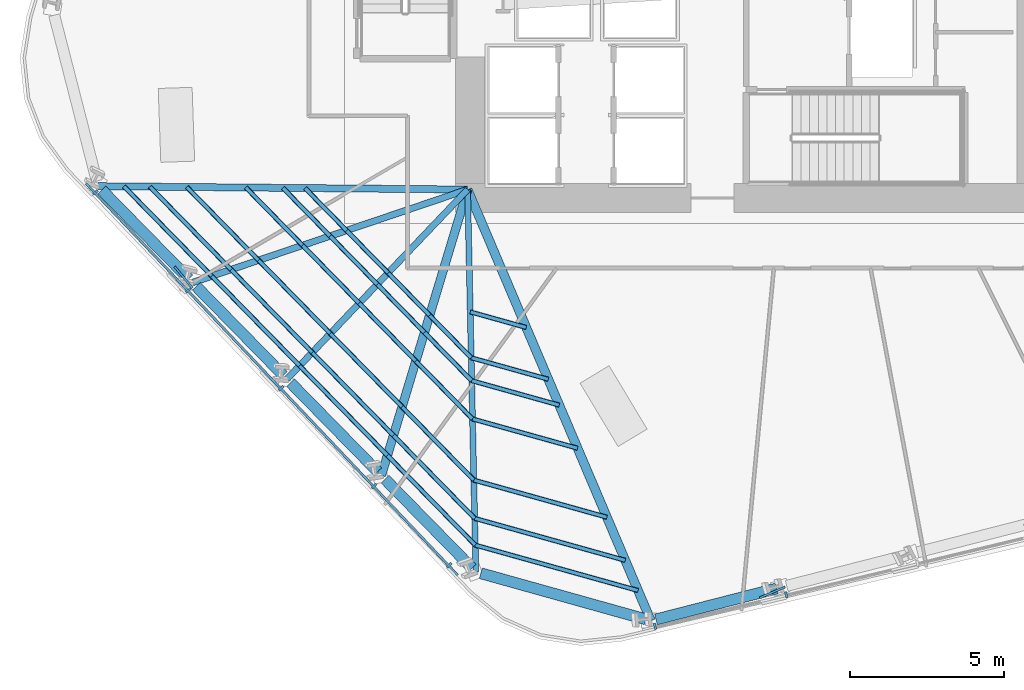
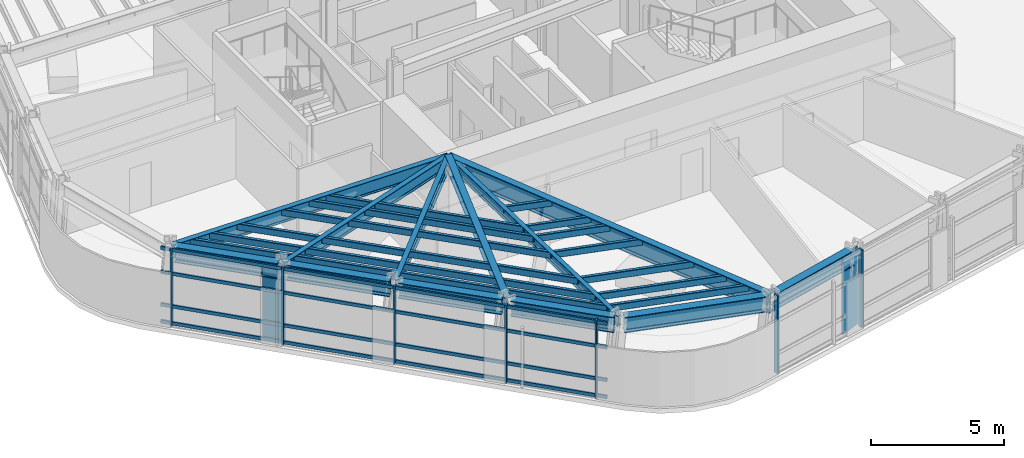
# One storey, part 2 of 17: 44 members, 12 beams, 2 elements without a shape of their own.
"""IFC4 building model written with IfcOpenShell, lengths in metres."""

from ifc_helpers import new_model, si_unit, direction, frame, origin, origin_2d, place, context, subcontext, project, spatial, rectangle, hollow_rectangle, i_section, extrude, material, layer, layer_set, material_profile, profile_set, type_object, element, aggregate, save


model = new_model("IFC4")

# Units and contexts
model_context = context("Model", 3, precision=1e-05, world=origin(), true_north=direction((0.0, 1.0)))
body_context = subcontext(model_context, "Body", "Model", "MODEL_VIEW")
ifc_project = project(units=[si_unit("LENGTHUNIT", "METRE"), si_unit("AREAUNIT", "SQUARE_METRE"), si_unit("VOLUMEUNIT", "CUBIC_METRE"), si_unit("PLANEANGLEUNIT", "RADIAN"), si_unit("MASSUNIT", "GRAM", prefix="KILO")], contexts=[model_context])

# Site, building, storey
site_placement = place(None, origin())
site = spatial("IfcSite", under=ifc_project, at=site_placement, CompositionType="ELEMENT")
building_placement = place(site_placement, origin())
building = spatial("IfcBuilding", under=site, at=building_placement, Name="Valkerne Bourse Tower", CompositionType="ELEMENT")
storey_placement = place(building_placement, frame((0.0, 0.0, 82.0)))
storey = spatial("IfcBuildingStorey", under=building, at=storey_placement, Name="L20", CompositionType="ELEMENT", Elevation=82.0)

# Beams
ifc_material_1 = material(Name="Steel ASTM A992", Category="steel")
ifc_material_profile_1 = material_profile(ifc_material_1, i_section(OverallWidth=0.1904296875, OverallDepth=0.457275390625, WebThickness=0.009033203125, FlangeThickness=0.014404296875, FilletRadius=0.01513671875, at=origin_2d()), Name="W18X50")
ifc_profile_set_1 = profile_set([ifc_material_profile_1], Name="Steel ASTM A992")
beam_type_1 = type_object("IfcBeamType", Name="BM-W18X50", PredefinedType="JOIST", material=ifc_profile_set_1)
beam_1_placement = place(storey_placement, frame((37.86669921875, 5.982666015625, 3.351318359375), z_axis=(-0.021465334848, 0.999769593156, 0.0), x_axis=(-0.999769593156, -0.021465334848, 0.0)))
element("IfcBeam", 1, at=beam_1_placement, inside=storey, type_object=beam_type_1, Name="L20 Radial Composite Floor Beam 19", PredefinedType="JOIST", context=body_context, shape_type="SweptSolid", body=[
    extrude(i_section(OverallWidth=0.1904296875, OverallDepth=0.457275390625, WebThickness=0.009033203125, FlangeThickness=0.014404296875, FilletRadius=0.01513671875, at=origin_2d()), origin(), (0.0, 0.0, 1.0), 12.420166015625),
])
ifc_material_profile_2 = material_profile(ifc_material_1, i_section(OverallWidth=0.279296875, OverallDepth=0.46240234375, WebThickness=0.0107421875, FlangeThickness=0.017333984375, FilletRadius=0.017822265625, at=origin_2d()), Name="W18X76")
ifc_profile_set_2 = profile_set([ifc_material_profile_2], Name="Steel ASTM A992")
beam_type_2 = type_object("IfcBeamType", Name="BM-W18X76", PredefinedType="BEAM", material=ifc_profile_set_2)
beam_2_placement = place(storey_placement, frame((34.800048828125, 9.1142578125, 3.348876953125), z_axis=(0.288705536181, 0.957417940807, 0.0), x_axis=(-0.957417940807, 0.288705536181, 0.0)))
element("IfcBeam", 2, at=beam_2_placement, inside=storey, type_object=beam_type_2, Name="L20 Radial Composite Floor Beam 18", PredefinedType="BEAM", context=body_context, shape_type="SweptSolid", body=[
    extrude(i_section(OverallWidth=0.279296875, OverallDepth=0.46240234375, WebThickness=0.0107421875, FlangeThickness=0.017333984375, FilletRadius=0.017822265625, at=origin_2d()), origin(), (0.0, 0.0, 1.0), 9.69873046875),
])
ifc_material_profile_3 = material_profile(ifc_material_1, i_section(OverallWidth=0.209228515625, OverallDepth=0.533447265625, WebThickness=0.01025390625, FlangeThickness=0.015625, FilletRadius=0.017822265625, at=origin_2d()), Name="W21X62")
ifc_profile_set_3 = profile_set([ifc_material_profile_3], Name="Steel ASTM A992")
beam_type_3 = type_object("IfcBeamType", Name="BM-W21X62", PredefinedType="JOIST", material=ifc_profile_set_3)
beam_3_placement = place(storey_placement, frame((31.7333984375, 12.24560546875, 3.313232421875), z_axis=(0.689992083455, 0.723816913846, 0.0), x_axis=(-0.723816913846, 0.689992083455, 0.0)))
element("IfcBeam", 3, at=beam_3_placement, inside=storey, type_object=beam_type_3, Name="L20 Radial Composite Floor Beam 17", PredefinedType="JOIST", context=body_context, shape_type="SweptSolid", body=[
    extrude(i_section(OverallWidth=0.209228515625, OverallDepth=0.533447265625, WebThickness=0.01025390625, FlangeThickness=0.015625, FilletRadius=0.017822265625, at=origin_2d()), origin(), (0.0, 0.0, 1.0), 8.50244140625),
])
ifc_material_profile_4 = material_profile(ifc_material_1, i_section(OverallWidth=0.2138671875, OverallDepth=0.548583984375, WebThickness=0.0146484375, FlangeThickness=0.023681640625, FilletRadius=0.017822265625, at=origin_2d()), Name="W21X93")
ifc_profile_set_4 = profile_set([ifc_material_profile_4], Name="Steel ASTM A992")
beam_type_4 = type_object("IfcBeamType", Name="BM-W21X93", PredefinedType="BEAM", material=ifc_profile_set_4)
beam_4_placement = place(storey_placement, frame((28.666748046875, 15.377197265625, 3.3056640625), z_axis=(0.947244629352, 0.320511485229, 0.0), x_axis=(-0.320511485229, 0.947244629352, 0.0)))
element("IfcBeam", 4, at=beam_4_placement, inside=storey, type_object=beam_type_4, Name="L20 Radial Composite Floor Beam 16", PredefinedType="BEAM", context=body_context, shape_type="SweptSolid", body=[
    extrude(i_section(OverallWidth=0.2138671875, OverallDepth=0.548583984375, WebThickness=0.0146484375, FlangeThickness=0.023681640625, FilletRadius=0.017822265625, at=origin_2d()), origin(), (0.0, 0.0, 1.0), 9.430908203125),
])
ifc_material_profile_5 = material_profile(ifc_material_1, i_section(OverallWidth=0.228271484375, OverallDepth=0.607177734375, WebThickness=0.01123046875, FlangeThickness=0.017333984375, FilletRadius=0.017822265625, at=origin_2d()), Name="W24X76")
ifc_profile_set_5 = profile_set([ifc_material_profile_5], Name="Steel ASTM A992")
beam_type_5 = type_object("IfcBeamType", Name="BM-W24X76", PredefinedType="JOIST", material=ifc_profile_set_5)
beam_5_placement = place(storey_placement, frame((25.60009765625, 18.5087890625, 3.2763671875), z_axis=(0.999958834773, -0.0090735197, 0.0), x_axis=(0.0090735197, 0.999958834773, 0.0)))
element("IfcBeam", 5, at=beam_5_placement, inside=storey, type_object=beam_type_5, Name="L20 Radial Composite Floor Beam 15", PredefinedType="JOIST", context=body_context, shape_type="SweptSolid", body=[
    extrude(i_section(OverallWidth=0.228271484375, OverallDepth=0.607177734375, WebThickness=0.01123046875, FlangeThickness=0.017333984375, FilletRadius=0.017822265625, at=origin_2d()), origin(), (0.0, 0.0, 1.0), 12.00048828125),
])
ifc_material_profile_6 = material_profile(ifc_material_1, i_section(OverallWidth=0.358154296875, OverallDepth=0.7060546875, WebThickness=0.018310546875, FlangeThickness=0.0302734375, FilletRadius=0.02294921875, at=origin_2d()), Name="W27X178")
ifc_profile_set_6 = profile_set([ifc_material_profile_6], Name="Steel ASTM A992")
beam_type_6 = type_object("IfcBeamType", Name="BM-W27X178", PredefinedType="SPANDREL", material=ifc_profile_set_6)
for number, where, z_axis, x_axis, name in (
    (6, (25.718994140625, 18.38720703125, 3.22705078125), (0.699701218716, -0.714435584589, 0.0), (0.714435584589, 0.699701218716, 0.0), "L20 Hexagonal Spandrel Ring Beam 15"),
    (7, (28.78564453125, 15.255615234375, 3.22705078125), (0.699701218716, -0.714435584589, 0.0), (0.714435584589, 0.699701218716, 0.0), "L20 Hexagonal Spandrel Ring Beam 16"),
):
    element("IfcBeam", number, at=place(storey_placement, frame(where, z_axis=z_axis, x_axis=x_axis)), inside=storey, type_object=beam_type_6, Name=name, PredefinedType="SPANDREL", context=body_context, shape_type="SweptSolid", body=[
        extrude(i_section(OverallWidth=0.358154296875, OverallDepth=0.7060546875, WebThickness=0.018310546875, FlangeThickness=0.0302734375, FilletRadius=0.02294921875, at=origin_2d()), origin(), (0.0, 0.0, 1.0), 4.04296875),
    ])
for number, where, z_axis, x_axis, name in (
    (8, (31.852294921875, 12.124267578125, 3.22705078125), (0.699671032576, -0.714465146927, 0.0), (0.714465146927, 0.699671032576, 0.0), "L20 Hexagonal Spandrel Ring Beam 17"),
    (9, (34.9189453125, 8.99267578125, 3.22705078125), (0.699671032576, -0.714465146927, 0.0), (0.714465146927, 0.699671032576, 0.0), "L20 Hexagonal Spandrel Ring Beam 18"),
):
    element("IfcBeam", number, at=place(storey_placement, frame(where, z_axis=z_axis, x_axis=x_axis)), inside=storey, type_object=beam_type_6, Name=name, PredefinedType="SPANDREL", context=body_context, shape_type="SweptSolid", body=[
        extrude(i_section(OverallWidth=0.358154296875, OverallDepth=0.7060546875, WebThickness=0.018310546875, FlangeThickness=0.0302734375, FilletRadius=0.02294921875, at=origin_2d()), origin(), (0.0, 0.0, 1.0), 4.043212890625),
    ])
beam_6_placement = place(storey_placement, frame((38.030517578125, 5.93701171875, 3.22705078125), z_axis=(0.963152435145, -0.268956105477, 0.0), x_axis=(0.268956105477, 0.963152435145, 0.0)))
element("IfcBeam", 10, at=beam_6_placement, inside=storey, type_object=beam_type_6, Name="L20 Hexagonal Spandrel Ring Beam 19", PredefinedType="SPANDREL", context=body_context, shape_type="SweptSolid", body=[
    extrude(i_section(OverallWidth=0.358154296875, OverallDepth=0.7060546875, WebThickness=0.018310546875, FlangeThickness=0.0302734375, FilletRadius=0.02294921875, at=origin_2d()), origin(), (0.0, 0.0, 1.0), 5.564453125),
])
beam_7_placement = place(storey_placement, frame((43.718505859375, 4.43701171875, 3.22705078125), z_axis=(0.968584837782, 0.248683356941, 0.0), x_axis=(-0.248683356941, 0.968584837782, 0.0)))
element("IfcBeam", 11, at=beam_7_placement, inside=storey, type_object=beam_type_6, Name="L20 Hexagonal Spandrel Ring Beam 20", PredefinedType="SPANDREL", context=body_context, shape_type="SweptSolid", body=[
    extrude(i_section(OverallWidth=0.358154296875, OverallDepth=0.7060546875, WebThickness=0.018310546875, FlangeThickness=0.0302734375, FilletRadius=0.02294921875, at=origin_2d()), origin(), (0.0, 0.0, 1.0), 4.042724609375),
])
ifc_material_profile_7 = material_profile(ifc_material_1, i_section(OverallWidth=0.2919921875, OverallDepth=0.8583984375, WebThickness=0.01708984375, FlangeThickness=0.031005859375, FilletRadius=0.025390625, at=origin_2d()), Name="W33X169")
ifc_profile_set_7 = profile_set([ifc_material_profile_7], Name="Steel ASTM A992")
beam_type_7 = type_object("IfcBeamType", Name="BM-W33X169", PredefinedType="BEAM", material=ifc_profile_set_7)
beam_8_placement = place(storey_placement, frame((43.5537109375, 4.394775390625, 3.15087890625), z_axis=(-0.391220470853, 0.920296986405, 0.0), x_axis=(-0.920296986405, -0.391220470853, 0.0)))
element("IfcBeam", 12, at=beam_8_placement, inside=storey, type_object=beam_type_7, Name="L20 Radial Composite Floor Beam 20", PredefinedType="BEAM", context=body_context, shape_type="SweptSolid", body=[
    extrude(i_section(OverallWidth=0.2919921875, OverallDepth=0.8583984375, WebThickness=0.01708984375, FlangeThickness=0.031005859375, FilletRadius=0.025390625, at=origin_2d()), origin(), (0.0, 0.0, 1.0), 15.218017578125),
])

# Curtain wall, members
ifc_material_2 = material(Name="Aluminium AA 6063-T6", Category="aluminium")
ifc_layer = layer(ifc_material_2, 0.22998046875)
ifc_layer_set = layer_set([ifc_layer], Name="Aluminium AA 6063-T6")
curtain_wall_type = type_object("IfcCurtainWallType", Name="CW-02", PredefinedType="NOTDEFINED", material=ifc_layer_set)
curtain_wall_1_placement = place(storey_placement, origin())
curtain_wall_1 = element("IfcCurtainWall", 13, at=curtain_wall_1_placement, inside=storey, type_object=curtain_wall_type, Name="L20 Hexagonal Stick Curtain Wall Face 4", PredefinedType="NOTDEFINED")
ifc_material_profile_8 = material_profile(ifc_material_2, rectangle(XDim=0.074951171875, YDim=0.199951171875, at=origin_2d()), Name="CWM-75X200")
ifc_profile_set_8 = profile_set([ifc_material_profile_8], Name="Aluminium AA 6063-T6")
member_type_1 = type_object("IfcMemberType", Name="CW-MUL-220X75", PredefinedType="MULLION", material=ifc_profile_set_8)
member_1_placement = place(storey_placement, frame((25.511962890625, 18.30419921875, 0.0), z_axis=(0.0, 0.0, 1.0), x_axis=(0.6883614127, -0.725367882874, 0.0)))
member_1 = element("IfcMember", 14, at=member_1_placement, type_object=member_type_1, Name="CW-L20-F4 Jamb Mullion 00A", PredefinedType="MULLION", context=body_context, shape_type="SweptSolid", body=[
    extrude(rectangle(XDim=0.074951171875, YDim=0.199951171875, at=origin_2d()), origin(), (0.0, 0.0, 1.0), 3.580078125),
])
member_2_placement = place(storey_placement, frame((28.529052734375, 15.124755859375, 0.0), z_axis=(0.0, 0.0, 1.0), x_axis=(0.688349407934, -0.725379274998, 0.0)))
member_2 = element("IfcMember", 15, at=member_2_placement, type_object=member_type_1, Name="CW-L20-F4 Jamb Mullion 01A", PredefinedType="MULLION", context=body_context, shape_type="SweptSolid", body=[
    extrude(rectangle(XDim=0.074951171875, YDim=0.199951171875, at=origin_2d()), origin(), (0.0, 0.0, 1.0), 3.580078125),
])
member_3_placement = place(storey_placement, frame((31.5458984375, 11.945556640625, 0.0), z_axis=(0.0, 0.0, 1.0), x_axis=(0.6883614127, -0.725367882874, 0.0)))
member_3 = element("IfcMember", 16, at=member_3_placement, type_object=member_type_1, Name="CW-L20-F4 Jamb Mullion 02A", PredefinedType="MULLION", context=body_context, shape_type="SweptSolid", body=[
    extrude(rectangle(XDim=0.074951171875, YDim=0.199951171875, at=origin_2d()), origin(), (0.0, 0.0, 1.0), 3.580078125),
])
member_4_placement = place(storey_placement, frame((34.56298828125, 8.76611328125, 0.0), z_axis=(0.0, 0.0, 1.0), x_axis=(0.688338015833, -0.725390085374, 0.0)))
member_4 = element("IfcMember", 17, at=member_4_placement, type_object=member_type_1, Name="CW-L20-F4 Jamb Mullion 03A", PredefinedType="MULLION", context=body_context, shape_type="SweptSolid", body=[
    extrude(rectangle(XDim=0.074951171875, YDim=0.199951171875, at=origin_2d()), origin(), (0.0, 0.0, 1.0), 3.580078125),
])
member_5_placement = place(storey_placement, frame((37.001953125, 6.196044921875, 0.0), z_axis=(0.0, 0.0, 1.0), x_axis=(0.688338015833, -0.725390085374, 0.0)))
member_5 = element("IfcMember", 18, at=member_5_placement, type_object=member_type_1, Name="CW-L20-F4 Jamb Mullion 03B", PredefinedType="MULLION", context=body_context, shape_type="SweptSolid", body=[
    extrude(rectangle(XDim=0.074951171875, YDim=0.199951171875, at=origin_2d()), origin(), (0.0, 0.0, 1.0), 3.580078125),
])

curtain_wall_2_placement = place(storey_placement, origin())
curtain_wall_2 = element("IfcCurtainWall", 19, at=curtain_wall_2_placement, inside=storey, type_object=curtain_wall_type, Name="L20 Hexagonal Stick Curtain Wall Face 5", PredefinedType="NOTDEFINED")
member_6_placement = place(storey_placement, frame((43.686767578125, 4.216064453125, 0.0), z_axis=(0.0, 0.0, 1.0), x_axis=(0.972374667452, 0.233425590066, 0.0)))
member_6 = element("IfcMember", 20, at=member_6_placement, type_object=member_type_1, Name="CW-L20-F5 Jamb Mullion 00A", PredefinedType="MULLION", context=body_context, shape_type="SweptSolid", body=[
    extrude(rectangle(XDim=0.074951171875, YDim=0.199951171875, at=origin_2d()), origin(), (0.0, 0.0, 1.0), 3.580078125),
])
member_7_placement = place(storey_placement, frame((47.94873046875, 5.239013671875, 0.0), z_axis=(0.0, 0.0, 1.0), x_axis=(0.972369488641, 0.233447162244, 0.0)))
member_7 = element("IfcMember", 21, at=member_7_placement, type_object=member_type_1, Name="CW-L20-F5 Jamb Mullion 01A", PredefinedType="MULLION", context=body_context, shape_type="SweptSolid", body=[
    extrude(rectangle(XDim=0.074951171875, YDim=0.199951171875, at=origin_2d()), origin(), (0.0, 0.0, 1.0), 3.580078125),
])
aggregate(curtain_wall_2, [member_6, member_7])

# Member
ifc_material_profile_9 = material_profile(ifc_material_2, rectangle(XDim=0.074951171875, YDim=0.14990234375, at=origin_2d()), Name="CWT-75X150")
ifc_profile_set_9 = profile_set([ifc_material_profile_9], Name="Aluminium AA 6063-T6")
member_type_2 = type_object("IfcMemberType", Name="CW-TRN-180X65", PredefinedType="USERDEFINED", material=ifc_profile_set_9)
member_8_placement = place(storey_placement, frame((25.208251953125, 18.594970703125, 0.1201171875), z_axis=(0.688357768238, -0.725371341388, 0.0), x_axis=(0.725371341388, 0.688357768238, 0.0)))
member_8 = element("IfcMember", 22, at=member_8_placement, type_object=member_type_2, Name="CW-L20-F4 Continuous Face Transom 1", ObjectType="TRANSOM", PredefinedType="USERDEFINED", context=body_context, shape_type="SweptSolid", body=[
    extrude(rectangle(XDim=0.074951171875, YDim=0.14990234375, at=origin_2d()), origin(), (0.0, 0.0, 1.0), 17.531982421875),
])

member_9_placement = place(storey_placement, frame((25.208251953125, 18.594970703125, 0.89990234375), z_axis=(0.688357768238, -0.725371341388, 0.0), x_axis=(0.725371341388, 0.688357768238, 0.0)))
member_9 = element("IfcMember", 23, at=member_9_placement, type_object=member_type_2, Name="CW-L20-F4 Continuous Face Transom 2", ObjectType="TRANSOM", PredefinedType="USERDEFINED", context=body_context, shape_type="SweptSolid", body=[
    extrude(rectangle(XDim=0.074951171875, YDim=0.14990234375, at=origin_2d()), origin(), (0.0, 0.0, 1.0), 17.531982421875),
])

member_10_placement = place(storey_placement, frame((25.208251953125, 18.594970703125, 2.39990234375), z_axis=(0.688357768238, -0.725371341388, 0.0), x_axis=(0.725371341388, 0.688357768238, 0.0)))
member_10 = element("IfcMember", 24, at=member_10_placement, type_object=member_type_2, Name="CW-L20-F4 Continuous Face Transom 3", ObjectType="TRANSOM", PredefinedType="USERDEFINED", context=body_context, shape_type="SweptSolid", body=[
    extrude(rectangle(XDim=0.074951171875, YDim=0.14990234375, at=origin_2d()), origin(), (0.0, 0.0, 1.0), 17.531982421875),
])

member_11_placement = place(storey_placement, frame((25.208251953125, 18.594970703125, 3.5), z_axis=(0.688357768238, -0.725371341388, 0.0), x_axis=(0.725371341388, 0.688357768238, 0.0)))
member_11 = element("IfcMember", 25, at=member_11_placement, type_object=member_type_2, Name="CW-L20-F4 Continuous Face Transom 4", ObjectType="TRANSOM", PredefinedType="USERDEFINED", context=body_context, shape_type="SweptSolid", body=[
    extrude(rectangle(XDim=0.074951171875, YDim=0.14990234375, at=origin_2d()), origin(), (0.0, 0.0, 1.0), 17.531982421875),
])

aggregate(curtain_wall_1, [member_8, member_9, member_10, member_11, member_1, member_2, member_3, member_4, member_5])

# Members
ifc_material_3 = material(Name="Bronze Anodised Aluminium AA 6063-T6", Category="aluminium")
ifc_material_profile_10 = material_profile(ifc_material_3, rectangle(XDim=0.070068359375, YDim=0.89990234375, at=origin_2d()), Name="FIN-70X900")
ifc_profile_set_10 = profile_set([ifc_material_profile_10], Name="Bronze Anodised Aluminium AA 6063-T6")
member_type_3 = type_object("IfcMemberType", Name="FIN-SOLAR-900", PredefinedType="USERDEFINED", material=ifc_profile_set_10)
for number, where, z_axis, x_axis, name in (
    (26, (28.370361328125, 15.553466796875, 0.00390625), (0.0, 0.0, 1.0), (-0.771366058035, -0.636391706822, 0.0), "L20 Bronze Anodised Solar Fin F4-01"),
    (27, (47.498291015625, 5.316162109375, 0.00390625), (0.0, 0.0, 1.0), (0.392932454916, -0.919567336237, 0.0), "L20 Bronze Anodised Solar Fin F5-01"),
):
    element("IfcMember", number, at=place(storey_placement, frame(where, z_axis=z_axis, x_axis=x_axis)), inside=storey, type_object=member_type_3, Name=name, ObjectType="SOLAR_FIN", PredefinedType="USERDEFINED", context=body_context, shape_type="SweptSolid", body=[
        extrude(rectangle(XDim=0.070068359375, YDim=0.89990234375, at=origin_2d()), origin(), (0.0, 0.0, 1.0), 3.572021484375),
    ])
ifc_material_4 = material(Name="Steel ASTM A500 Grade C", Category="steel")
ifc_material_profile_11 = material_profile(ifc_material_4, hollow_rectangle(XDim=0.14990234375, YDim=0.300048828125, WallThickness=0.012451171875, OuterFilletRadius=0.02490234375, at=origin_2d()), Name="HSS300X150X12.5")
ifc_profile_set_11 = profile_set([ifc_material_profile_11], Name="Steel ASTM A500 Grade C")
member_type_4 = type_object("IfcMemberType", Name="MBR-HSS300X150X12.5", PredefinedType="PURLIN", material=ifc_profile_set_11)
member_12_placement = place(storey_placement, frame((37.685302734375, 14.426513671875, 3.419921875), z_axis=(0.963135593851, -0.269016408156, 0.0), x_axis=(0.269016408156, 0.963135593851, 0.0)))
element("IfcMember", 28, at=member_12_placement, inside=storey, type_object=member_type_4, Name="L20 Secondary Composite Floor Purlin I-19", PredefinedType="PURLIN", context=body_context, shape_type="SweptSolid", body=[
    extrude(hollow_rectangle(XDim=0.14990234375, YDim=0.300048828125, WallThickness=0.012451171875, OuterFilletRadius=0.02490234375, at=origin_2d()), origin(), (0.0, 0.0, 1.0), 1.889404296875),
])
for number, where, z_axis, x_axis, name in (
    (29, (32.320068359375, 18.447998046875, 3.419921875), (0.699662490915, -0.71447351162, 0.0), (0.71447351162, 0.699662490915, 0.0), "L20 Secondary Composite Floor Purlin K-15"),
    (30, (33.66943359375, 17.070068359375, 3.419921875), (0.699662490915, -0.71447351162, 0.0), (0.71447351162, 0.699662490915, 0.0), "L20 Secondary Composite Floor Purlin K-16"),
):
    element("IfcMember", number, at=place(storey_placement, frame(where, z_axis=z_axis, x_axis=x_axis)), inside=storey, type_object=member_type_4, Name=name, PredefinedType="PURLIN", context=body_context, shape_type="SweptSolid", body=[
        extrude(hollow_rectangle(XDim=0.14990234375, YDim=0.300048828125, WallThickness=0.012451171875, OuterFilletRadius=0.02490234375, at=origin_2d()), origin(), (0.0, 0.0, 1.0), 1.9287109375),
    ])
member_13_placement = place(storey_placement, frame((35.018798828125, 15.692138671875, 3.419921875), z_axis=(0.699597861669, -0.714536795378, 0.0), x_axis=(0.714536795378, 0.699597861669, 0.0)))
element("IfcMember", 31, at=member_13_placement, inside=storey, type_object=member_type_4, Name="L20 Secondary Composite Floor Purlin K-17", PredefinedType="PURLIN", context=body_context, shape_type="SweptSolid", body=[
    extrude(hollow_rectangle(XDim=0.14990234375, YDim=0.300048828125, WallThickness=0.012451171875, OuterFilletRadius=0.02490234375, at=origin_2d()), origin(), (0.0, 0.0, 1.0), 1.928466796875),
])
member_14_placement = place(storey_placement, frame((36.367919921875, 14.314208984375, 3.419921875), z_axis=(0.699662490915, -0.71447351162, 0.0), x_axis=(0.71447351162, 0.699662490915, 0.0)))
element("IfcMember", 32, at=member_14_placement, inside=storey, type_object=member_type_4, Name="L20 Secondary Composite Floor Purlin K-18", PredefinedType="PURLIN", context=body_context, shape_type="SweptSolid", body=[
    extrude(hollow_rectangle(XDim=0.14990234375, YDim=0.300048828125, WallThickness=0.012451171875, OuterFilletRadius=0.02490234375, at=origin_2d()), origin(), (0.0, 0.0, 1.0), 1.9287109375),
])
member_15_placement = place(storey_placement, frame((37.71728515625, 12.936279296875, 3.419921875), z_axis=(0.963176494105, -0.268869933616, 0.0), x_axis=(0.268869933616, 0.963176494105, 0.0)))
element("IfcMember", 33, at=member_15_placement, inside=storey, type_object=member_type_4, Name="L20 Secondary Composite Floor Purlin K-19", PredefinedType="PURLIN", context=body_context, shape_type="SweptSolid", body=[
    extrude(hollow_rectangle(XDim=0.14990234375, YDim=0.300048828125, WallThickness=0.012451171875, OuterFilletRadius=0.02490234375, at=origin_2d()), origin(), (0.0, 0.0, 1.0), 2.597900390625),
])
member_16_placement = place(storey_placement, frame((31.60009765625, 18.454345703125, 3.419921875), z_axis=(0.699659155567, -0.714476777811, 0.0), x_axis=(0.714476777811, 0.699659155567, 0.0)))
element("IfcMember", 34, at=member_16_placement, inside=storey, type_object=member_type_4, Name="L20 Secondary Composite Floor Purlin M-15", PredefinedType="PURLIN", context=body_context, shape_type="SweptSolid", body=[
    extrude(hollow_rectangle(XDim=0.14990234375, YDim=0.300048828125, WallThickness=0.012451171875, OuterFilletRadius=0.02490234375, at=origin_2d()), origin(), (0.0, 0.0, 1.0), 2.19140625),
])
member_17_placement = place(storey_placement, frame((33.13330078125, 16.888671875, 3.419921875), z_axis=(0.699660334868, -0.714475622965, 0.0), x_axis=(0.714475622965, 0.699660334868, 0.0)))
element("IfcMember", 35, at=member_17_placement, inside=storey, type_object=member_type_4, Name="L20 Secondary Composite Floor Purlin M-16", PredefinedType="PURLIN", context=body_context, shape_type="SweptSolid", body=[
    extrude(hollow_rectangle(XDim=0.14990234375, YDim=0.300048828125, WallThickness=0.012451171875, OuterFilletRadius=0.02490234375, at=origin_2d()), origin(), (0.0, 0.0, 1.0), 2.191650390625),
])
for number, where, z_axis, x_axis, name in (
    (36, (34.666748046875, 15.32275390625, 3.419921875), (0.699659155567, -0.714476777811, 0.0), (0.714476777811, 0.699659155567, 0.0), "L20 Secondary Composite Floor Purlin M-17"),
    (37, (36.199951171875, 13.757080078125, 3.419921875), (0.699716021522, -0.714421086773, 0.0), (0.714421086773, 0.699716021522, 0.0), "L20 Secondary Composite Floor Purlin M-18"),
):
    element("IfcMember", number, at=place(storey_placement, frame(where, z_axis=z_axis, x_axis=x_axis)), inside=storey, type_object=member_type_4, Name=name, PredefinedType="PURLIN", context=body_context, shape_type="SweptSolid", body=[
        extrude(hollow_rectangle(XDim=0.14990234375, YDim=0.300048828125, WallThickness=0.012451171875, OuterFilletRadius=0.02490234375, at=origin_2d()), origin(), (0.0, 0.0, 1.0), 2.19140625),
    ])
member_18_placement = place(storey_placement, frame((37.7333984375, 12.19140625, 3.419921875), z_axis=(0.963160442614, -0.268927428469, 0.0), x_axis=(0.268927428469, 0.963160442614, 0.0)))
element("IfcMember", 38, at=member_18_placement, inside=storey, type_object=member_type_4, Name="L20 Secondary Composite Floor Purlin M-19", PredefinedType="PURLIN", context=body_context, shape_type="SweptSolid", body=[
    extrude(hollow_rectangle(XDim=0.14990234375, YDim=0.300048828125, WallThickness=0.012451171875, OuterFilletRadius=0.02490234375, at=origin_2d()), origin(), (0.0, 0.0, 1.0), 2.9521484375),
])
for number, where, z_axis, x_axis, name in (
    (39, (28.480224609375, 18.482666015625, 3.419921875), (0.699665328162, -0.714470733178, 0.0), (0.714470733178, 0.699665328162, 0.0), "L20 Secondary Composite Floor Purlin O-15"),
    (40, (30.810791015625, 16.102783203125, 3.419921875), (0.699628690151, -0.714506610128, 0.0), (0.714506610128, 0.699628690151, 0.0), "L20 Secondary Composite Floor Purlin O-16"),
    (41, (33.141357421875, 13.72265625, 3.419921875), (0.699665328162, -0.714470733178, 0.0), (0.714470733178, 0.699665328162, 0.0), "L20 Secondary Composite Floor Purlin O-17"),
    (42, (35.471923828125, 11.3427734375, 3.419921875), (0.6997027396, -0.714434095069, 0.0), (0.714434095069, 0.6997027396, 0.0), "L20 Secondary Composite Floor Purlin O-18"),
):
    element("IfcMember", number, at=place(storey_placement, frame(where, z_axis=z_axis, x_axis=x_axis)), inside=storey, type_object=member_type_4, Name=name, PredefinedType="PURLIN", context=body_context, shape_type="SweptSolid", body=[
        extrude(hollow_rectangle(XDim=0.14990234375, YDim=0.300048828125, WallThickness=0.012451171875, OuterFilletRadius=0.02490234375, at=origin_2d()), origin(), (0.0, 0.0, 1.0), 3.3310546875),
    ])
member_19_placement = place(storey_placement, frame((37.802734375, 8.962890625, 3.419921875), z_axis=(0.963159274994, -0.268931610252, 0.0), x_axis=(0.268931610252, 0.963159274994, 0.0)))
element("IfcMember", 43, at=member_19_placement, inside=storey, type_object=member_type_4, Name="L20 Secondary Composite Floor Purlin O-19", PredefinedType="PURLIN", context=body_context, shape_type="SweptSolid", body=[
    extrude(hollow_rectangle(XDim=0.14990234375, YDim=0.300048828125, WallThickness=0.012451171875, OuterFilletRadius=0.02490234375, at=origin_2d()), origin(), (0.0, 0.0, 1.0), 4.4873046875),
])
member_20_placement = place(storey_placement, frame((30.400146484375, 18.46533203125, 3.419921875), z_axis=(0.699594183406, -0.71454039672, 0.0), x_axis=(0.71454039672, 0.699594183406, 0.0)))
element("IfcMember", 44, at=member_20_placement, inside=storey, type_object=member_type_4, Name="L20 Secondary Composite Floor Purlin Z-15", PredefinedType="PURLIN", context=body_context, shape_type="SweptSolid", body=[
    extrude(hollow_rectangle(XDim=0.14990234375, YDim=0.300048828125, WallThickness=0.012451171875, OuterFilletRadius=0.02490234375, at=origin_2d()), origin(), (0.0, 0.0, 1.0), 2.6298828125),
])
for number, where, z_axis, x_axis, name in (
    (45, (32.239990234375, 16.586181640625, 3.419921875), (0.699734390189, -0.714403095729, 0.0), (0.714403095729, 0.699734390189, 0.0), "L20 Secondary Composite Floor Purlin Z-16"),
    (46, (34.080078125, 14.70751953125, 3.419921875), (0.699640591452, -0.714494956451, 0.0), (0.714494956451, 0.699640591452, 0.0), "L20 Secondary Composite Floor Purlin Z-17"),
):
    element("IfcMember", number, at=place(storey_placement, frame(where, z_axis=z_axis, x_axis=x_axis)), inside=storey, type_object=member_type_4, Name=name, PredefinedType="PURLIN", context=body_context, shape_type="SweptSolid", body=[
        extrude(hollow_rectangle(XDim=0.14990234375, YDim=0.300048828125, WallThickness=0.012451171875, OuterFilletRadius=0.02490234375, at=origin_2d()), origin(), (0.0, 0.0, 1.0), 2.629638671875),
    ])
member_21_placement = place(storey_placement, frame((35.919921875, 12.82861328125, 3.419921875), z_axis=(0.699687981825, -0.714448548245, 0.0), x_axis=(0.714448548245, 0.699687981825, 0.0)))
element("IfcMember", 47, at=member_21_placement, inside=storey, type_object=member_type_4, Name="L20 Secondary Composite Floor Purlin Z-18", PredefinedType="PURLIN", context=body_context, shape_type="SweptSolid", body=[
    extrude(hollow_rectangle(XDim=0.14990234375, YDim=0.300048828125, WallThickness=0.012451171875, OuterFilletRadius=0.02490234375, at=origin_2d()), origin(), (0.0, 0.0, 1.0), 2.6298828125),
])
member_22_placement = place(storey_placement, frame((37.760009765625, 10.94970703125, 3.419921875), z_axis=(0.963147737793, -0.268972926489, 0.0), x_axis=(0.268972926489, 0.963147737793, 0.0)))
element("IfcMember", 48, at=member_22_placement, inside=storey, type_object=member_type_4, Name="L20 Secondary Composite Floor Purlin Z-19", PredefinedType="PURLIN", context=body_context, shape_type="SweptSolid", body=[
    extrude(hollow_rectangle(XDim=0.14990234375, YDim=0.300048828125, WallThickness=0.012451171875, OuterFilletRadius=0.02490234375, at=origin_2d()), origin(), (0.0, 0.0, 1.0), 3.542724609375),
])
member_23_placement = place(storey_placement, frame((27.2802734375, 18.49365234375, 3.419921875), z_axis=(0.699619281675, -0.714515822574, 0.0), x_axis=(0.714515822574, 0.699619281675, 0.0)))
element("IfcMember", 49, at=member_23_placement, inside=storey, type_object=member_type_4, Name="L20 Secondary Composite Floor Purlin T-15", PredefinedType="PURLIN", context=body_context, shape_type="SweptSolid", body=[
    extrude(hollow_rectangle(XDim=0.14990234375, YDim=0.300048828125, WallThickness=0.012451171875, OuterFilletRadius=0.02490234375, at=origin_2d()), origin(), (0.0, 0.0, 1.0), 3.76953125),
])
member_24_placement = place(storey_placement, frame((29.91748046875, 15.80029296875, 3.419921875), z_axis=(0.699684037992, -0.714452410577, 0.0), x_axis=(0.714452410577, 0.699684037992, 0.0)))
element("IfcMember", 50, at=member_24_placement, inside=storey, type_object=member_type_4, Name="L20 Secondary Composite Floor Purlin T-16", PredefinedType="PURLIN", context=body_context, shape_type="SweptSolid", body=[
    extrude(hollow_rectangle(XDim=0.14990234375, YDim=0.300048828125, WallThickness=0.012451171875, OuterFilletRadius=0.02490234375, at=origin_2d()), origin(), (0.0, 0.0, 1.0), 3.76904296875),
])
member_25_placement = place(storey_placement, frame((32.5546875, 13.107421875, 3.419921875), z_axis=(0.699651659054, -0.714484118776, 0.0), x_axis=(0.714484118776, 0.699651659054, 0.0)))
element("IfcMember", 51, at=member_25_placement, inside=storey, type_object=member_type_4, Name="L20 Secondary Composite Floor Purlin T-17", PredefinedType="PURLIN", context=body_context, shape_type="SweptSolid", body=[
    extrude(hollow_rectangle(XDim=0.14990234375, YDim=0.300048828125, WallThickness=0.012451171875, OuterFilletRadius=0.02490234375, at=origin_2d()), origin(), (0.0, 0.0, 1.0), 3.769287109375),
])
member_26_placement = place(storey_placement, frame((35.19189453125, 10.414306640625, 3.419921875), z_axis=(0.6996523454, -0.714483446677, 0.0), x_axis=(0.714483446677, 0.6996523454, 0.0)))
element("IfcMember", 52, at=member_26_placement, inside=storey, type_object=member_type_4, Name="L20 Secondary Composite Floor Purlin T-18", PredefinedType="PURLIN", context=body_context, shape_type="SweptSolid", body=[
    extrude(hollow_rectangle(XDim=0.14990234375, YDim=0.300048828125, WallThickness=0.012451171875, OuterFilletRadius=0.02490234375, at=origin_2d()), origin(), (0.0, 0.0, 1.0), 3.769775390625),
])
member_27_placement = place(storey_placement, frame((37.829345703125, 7.720947265625, 3.419921875), z_axis=(0.963166478229, -0.268905811049, 0.0), x_axis=(0.268905811049, 0.963166478229, 0.0)))
element("IfcMember", 53, at=member_27_placement, inside=storey, type_object=member_type_4, Name="L20 Secondary Composite Floor Purlin T-19", PredefinedType="PURLIN", context=body_context, shape_type="SweptSolid", body=[
    extrude(hollow_rectangle(XDim=0.14990234375, YDim=0.300048828125, WallThickness=0.012451171875, OuterFilletRadius=0.02490234375, at=origin_2d()), origin(), (0.0, 0.0, 1.0), 5.077880859375),
])
for number, where, z_axis, x_axis, name in (
    (54, (26.440185546875, 18.501220703125, 3.419921875), (0.69964071859, -0.714494831955, 0.0), (0.714494831955, 0.69964071859, 0.0), "L20 Secondary Composite Floor Purlin U-15"),
    (55, (29.2919921875, 15.5888671875, 3.419921875), (0.699671293553, -0.714464891354, 0.0), (0.714464891354, 0.699671293553, 0.0), "L20 Secondary Composite Floor Purlin U-16"),
    (56, (32.14404296875, 12.676513671875, 3.419921875), (0.699671293553, -0.714464891354, 0.0), (0.714464891354, 0.699671293553, 0.0), "L20 Secondary Composite Floor Purlin U-17"),
    (57, (34.99609375, 9.76416015625, 3.419921875), (0.69964071859, -0.714494831955, 0.0), (0.714494831955, 0.69964071859, 0.0), "L20 Secondary Composite Floor Purlin U-18"),
):
    element("IfcMember", number, at=place(storey_placement, frame(where, z_axis=z_axis, x_axis=x_axis)), inside=storey, type_object=member_type_4, Name=name, PredefinedType="PURLIN", context=body_context, shape_type="SweptSolid", body=[
        extrude(hollow_rectangle(XDim=0.14990234375, YDim=0.300048828125, WallThickness=0.012451171875, OuterFilletRadius=0.02490234375, at=origin_2d()), origin(), (0.0, 0.0, 1.0), 4.076171875),
    ])
member_28_placement = place(storey_placement, frame((37.847900390625, 6.851806640625, 3.419921875), z_axis=(0.963170598314, -0.268891053296, 0.0), x_axis=(0.268891053296, 0.963170598314, 0.0)))
element("IfcMember", 58, at=member_28_placement, inside=storey, type_object=member_type_4, Name="L20 Secondary Composite Floor Purlin U-19", PredefinedType="PURLIN", context=body_context, shape_type="SweptSolid", body=[
    extrude(hollow_rectangle(XDim=0.14990234375, YDim=0.300048828125, WallThickness=0.012451171875, OuterFilletRadius=0.02490234375, at=origin_2d()), origin(), (0.0, 0.0, 1.0), 5.4912109375),
])

save(model, "model.ifc")
